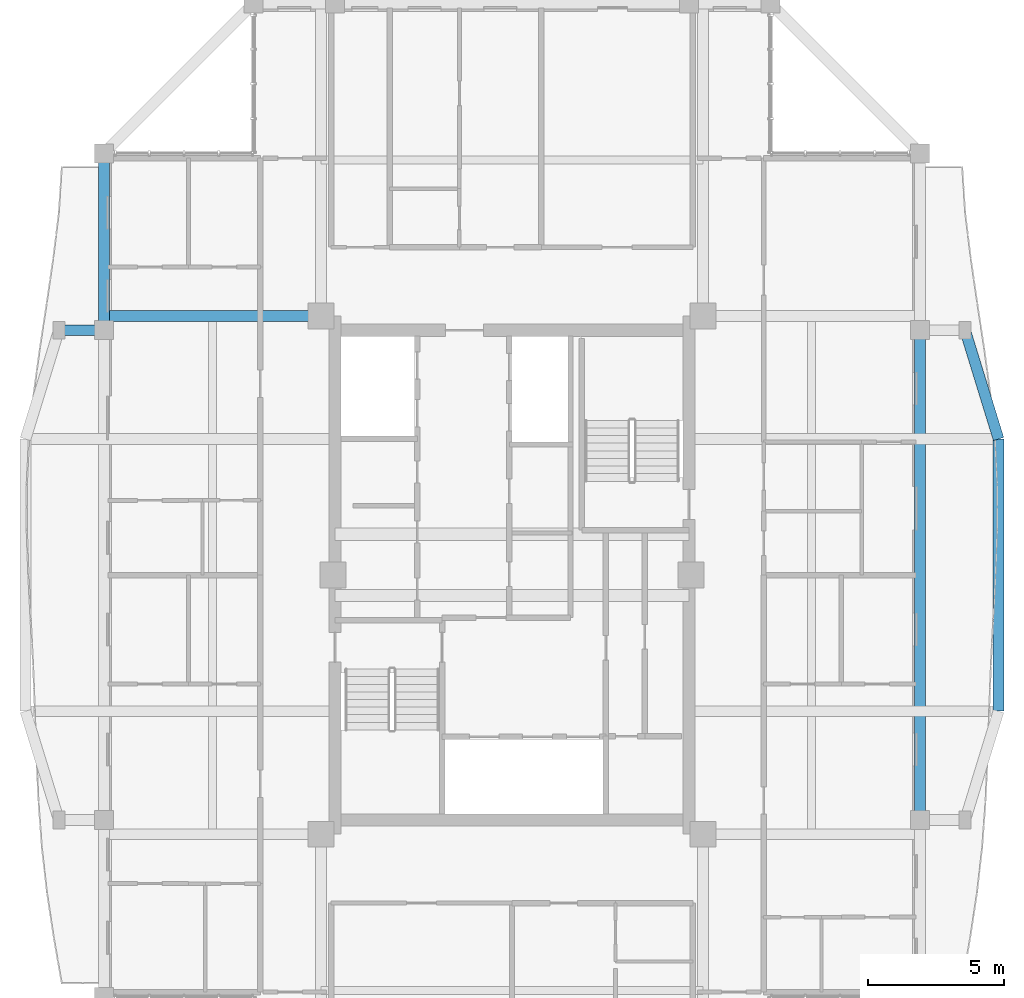
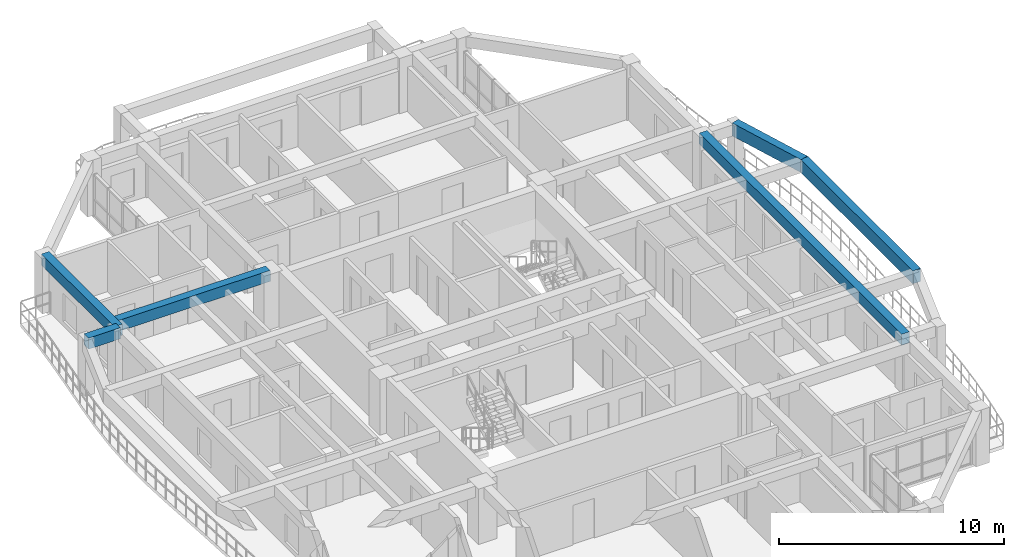
# One storey, part 7 of 24: 6 beams.
"""IFC4 building model written with IfcOpenShell, lengths in metres."""

from ifc_helpers import new_model, si_unit, direction, frame, origin, origin_2d, place, context, subcontext, project, spatial, rectangle, extrude, source, transform, mapped, material, material_profile, profile_set, type_object, element, save


model = new_model("IFC4")

# Units and contexts
model_context = context("Model", 3, precision=1e-05, world=origin(), true_north=direction((0.0, 1.0)))
body_context = subcontext(model_context, "Body", "Model", "MODEL_VIEW")
ifc_project = project(units=[si_unit("LENGTHUNIT", "METRE"), si_unit("AREAUNIT", "SQUARE_METRE"), si_unit("VOLUMEUNIT", "CUBIC_METRE"), si_unit("PLANEANGLEUNIT", "RADIAN"), si_unit("MASSUNIT", "GRAM", prefix="KILO")], contexts=[model_context])

# Site, building, storey
site_placement = place(None, origin())
site = spatial("IfcSite", under=ifc_project, at=site_placement, CompositionType="ELEMENT")
building_placement = place(site_placement, origin())
building = spatial("IfcBuilding", under=site, at=building_placement, Name="Saelheon Loggia Tower", CompositionType="ELEMENT")
storey_placement = place(building_placement, frame((0.0, 0.0, 246.0)))
storey = spatial("IfcBuildingStorey", under=building, at=storey_placement, Name="L76", CompositionType="ELEMENT", Elevation=246.0)

# Beams
ifc_material_1 = material(Name="Precast Concrete C45/55", Category="concrete")
ifc_material_profile_1 = material_profile(ifc_material_1, rectangle(XDim=0.39990234375, YDim=0.60009765625, at=origin_2d()), Name="RC-400x600")
ifc_profile_set_1 = profile_set([ifc_material_profile_1], Name="Precast Concrete C45/55")
beam_type_1 = type_object("IfcBeamType", Name="Beam_LoggiaTie_RC400x600", PredefinedType="BEAM", material=ifc_profile_set_1)
shared_shape_1 = source(origin(), body_context, "Body", "SweptSolid", [
    extrude(rectangle(XDim=0.39990234375, YDim=0.60009765625, at=origin_2d()), origin(), (0.0, 0.0, 1.0), 1.64990234375),
])
beam_1_placement = place(storey_placement, frame((23.0, 36.0, 2.699951171875), z_axis=(-1.0, 0.0, 0.0), x_axis=(0.0, -1.0, 0.0)))
element("IfcBeam", 1, at=beam_1_placement, inside=storey, type_object=beam_type_1, Name="L76 Loggia Frame Tie Beam LP-W2", PredefinedType="BEAM", context=body_context, shape_type="MappedRepresentation", body=[
    mapped(shared_shape_1, transform((0.0, 0.0, 0.0), scale=1.0)),
])
ifc_material_profile_2 = material_profile(ifc_material_1, rectangle(XDim=0.39990234375, YDim=0.699951171875, at=origin_2d()), Name="RC-400x700")
ifc_profile_set_2 = profile_set([ifc_material_profile_2], Name="Precast Concrete C45/55")
beam_type_2 = type_object("IfcBeamType", Name="Beam_LoggiaSpandrel_RC400x700", PredefinedType="SPANDREL", material=ifc_profile_set_2)
shared_shape_2 = source(origin(), body_context, "Body", "SweptSolid", [
    extrude(rectangle(XDim=0.39990234375, YDim=0.699951171875, at=origin_2d()), origin(), (0.0, 0.0, 1.0), 4.184814453125),
])
beam_2_placement = place(storey_placement, frame((55.8798828125, 32.0, 2.64990234375), z_axis=(-0.293913664135, 0.955831971653, 0.0), x_axis=(-0.955831971653, -0.293913664135, 0.0)))
element("IfcBeam", 2, at=beam_2_placement, inside=storey, type_object=beam_type_2, Name="L76 Curved Loggia Spandrel E 3", PredefinedType="SPANDREL", context=body_context, shape_type="MappedRepresentation", body=[
    mapped(shared_shape_2, transform((0.0, 0.0, 0.0), scale=1.0)),
])
shared_shape_3 = source(origin(), body_context, "Body", "SweptSolid", [
    extrude(rectangle(XDim=0.39990234375, YDim=0.699951171875, at=origin_2d()), origin(), (0.0, 0.0, 1.0), 10.0),
])
beam_3_placement = place(storey_placement, frame((55.8798828125, 22.0, 2.64990234375), z_axis=(0.0, 1.0, 0.0), x_axis=(-1.0, 0.0, 0.0)))
element("IfcBeam", 3, at=beam_3_placement, inside=storey, type_object=beam_type_2, Name="L76 Curved Loggia Spandrel E 2", PredefinedType="SPANDREL", context=body_context, shape_type="MappedRepresentation", body=[
    mapped(shared_shape_3, transform((0.0, 0.0, 0.0), scale=1.0)),
])
ifc_material_2 = material(Name="Concrete C40/50", Category="concrete")
ifc_material_profile_3 = material_profile(ifc_material_2, rectangle(XDim=0.39990234375, YDim=0.60009765625, at=origin_2d()), Name="RC-400x600")
ifc_profile_set_3 = profile_set([ifc_material_profile_3], Name="Concrete C40/50")
beam_type_3 = type_object("IfcBeamType", Name="Beam_PerimUpper_RC400x600", PredefinedType="BEAM", material=ifc_profile_set_3)
shared_shape_4 = source(origin(), body_context, "Body", "SweptSolid", [
    extrude(rectangle(XDim=0.39990234375, YDim=0.60009765625, at=origin_2d()), origin(), (0.0, 0.0, 1.0), 18.0),
])
beam_4_placement = place(storey_placement, frame((53.0, 18.0, 2.699951171875), z_axis=(0.0, 1.0, 0.0), x_axis=(-1.0, 0.0, 0.0)))
element("IfcBeam", 4, at=beam_4_placement, inside=storey, type_object=beam_type_3, Name="L76 Perimeter Frame Girder 06", PredefinedType="BEAM", context=body_context, shape_type="MappedRepresentation", body=[
    mapped(shared_shape_4, transform((0.0, 0.0, 0.0), scale=1.0)),
])
shared_shape_5 = source(origin(), body_context, "Body", "SweptSolid", [
    extrude(rectangle(XDim=0.39990234375, YDim=0.60009765625, at=origin_2d()), origin(), (0.0, 0.0, 1.0), 6.5),
])
beam_5_placement = place(storey_placement, frame((23.0, 42.5, 2.699951171875), z_axis=(0.0, -1.0, 0.0), x_axis=(1.0, 0.0, 0.0)))
element("IfcBeam", 5, at=beam_5_placement, inside=storey, type_object=beam_type_3, Name="L76 Perimeter Frame Girder 13", PredefinedType="BEAM", context=body_context, shape_type="MappedRepresentation", body=[
    mapped(shared_shape_5, transform((0.0, 0.0, 0.0), scale=1.0)),
])
ifc_material_profile_4 = material_profile(ifc_material_2, rectangle(XDim=0.39990234375, YDim=0.60009765625, at=origin_2d()), Name="RC-400x600")
ifc_profile_set_4 = profile_set([ifc_material_profile_4], Name="Concrete C40/50")
beam_type_4 = type_object("IfcBeamType", Name="Beam_UpperGirder_RC400x600", PredefinedType="BEAM", material=ifc_profile_set_4)
shared_shape_6 = source(origin(), body_context, "Body", "SweptSolid", [
    extrude(rectangle(XDim=0.39990234375, YDim=0.60009765625, at=origin_2d()), origin(), (0.0, 0.0, 1.0), 7.97998046875),
])
beam_6_placement = place(storey_placement, frame((30.97998046875, 36.52001953125, 2.699951171875), z_axis=(-1.0, 0.0, 0.0), x_axis=(0.0, -1.0, 0.0)))
element("IfcBeam", 6, at=beam_6_placement, inside=storey, type_object=beam_type_4, Name="L76 Radial Floor Girder RAD-NW-W", PredefinedType="BEAM", context=body_context, shape_type="MappedRepresentation", body=[
    mapped(shared_shape_6, transform((0.0, 0.0, 0.0), scale=1.0)),
])

save(model, "model.ifc")
